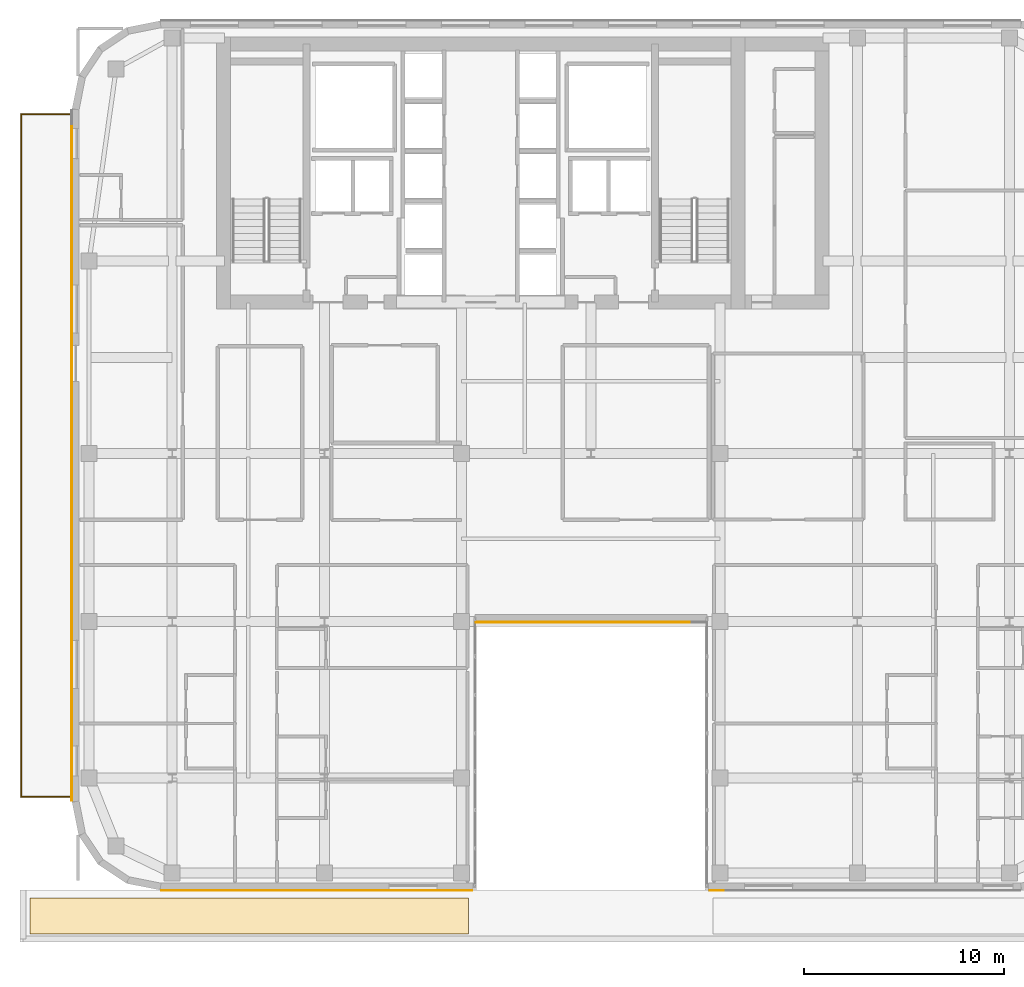
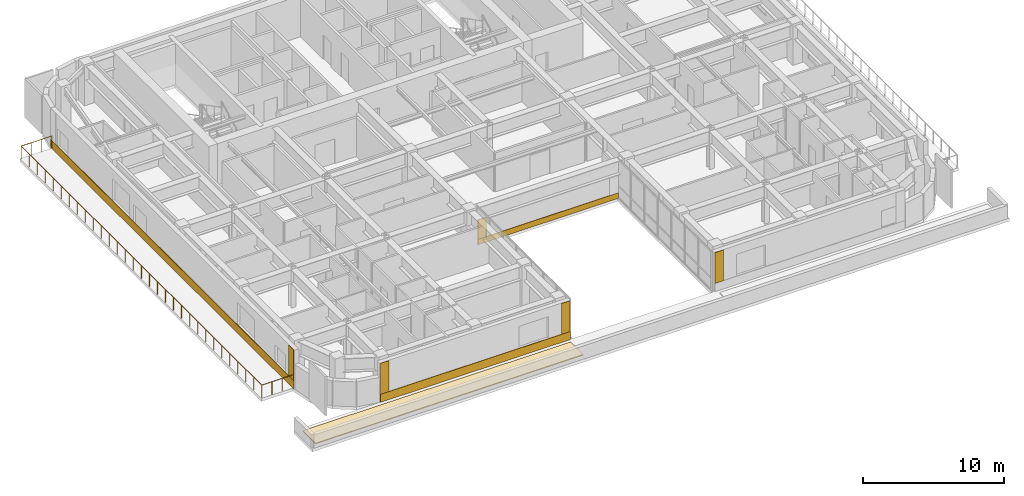
# One storey, part 16 of 20: 9 coverings, 1 railing.
"""IFC4 building model written with IfcOpenShell, lengths in metres."""

from ifc_helpers import new_model, si_unit, direction, frame, origin, origin_2d, place, context, subcontext, project, spatial, polyline, circle, outline, extrude, material, layer, layer_set, type_object, element, save


model = new_model("IFC4")

# Units and contexts
model_context = context("Model", 3, precision=1e-05, world=origin(), true_north=direction((0.0, 1.0)))
body_context = subcontext(model_context, "Body", "Model", "MODEL_VIEW")
ifc_project = project(units=[si_unit("LENGTHUNIT", "METRE"), si_unit("AREAUNIT", "SQUARE_METRE"), si_unit("VOLUMEUNIT", "CUBIC_METRE"), si_unit("PLANEANGLEUNIT", "RADIAN"), si_unit("MASSUNIT", "GRAM", prefix="KILO")], contexts=[model_context])

# Site, building, storey
site_placement = place(None, origin())
site = spatial("IfcSite", under=ifc_project, at=site_placement, CompositionType="ELEMENT")
building_placement = place(site_placement, origin())
building = spatial("IfcBuilding", under=site, at=building_placement, Name="Tolvann Quenvar Hotel", CompositionType="ELEMENT")
storey_placement = place(building_placement, frame((0.0, 0.0, 147.050048828125)))
storey = spatial("IfcBuildingStorey", under=building, at=storey_placement, Name="L38", CompositionType="ELEMENT", Elevation=147.050048828125)

# Coverings
ifc_material_1 = material(Name="Kiln-fired red architectural face brick cladding", Category="masonry")
ifc_layer_1 = layer(ifc_material_1, 0.0400390625)
ifc_layer_set_1 = layer_set([ifc_layer_1], Name="Kiln-fired red architectural face brick cladding")
covering_type_1 = type_object("IfcCoveringType", Name="COV_CLAD_BRICK_40", PredefinedType="CLADDING", material=ifc_layer_set_1)
covering_1_placement = place(storey_placement, frame((0.0, 0.0, 0.699951171875)))
element("IfcCovering", 1, at=covering_1_placement, inside=storey, type_object=covering_type_1, Name="Brick Pier Cladding (L38-E04-P1)", PredefinedType="CLADDING", context=body_context, shape_type="SweptSolid", body=[
    extrude(outline(polyline([(7.067138671875, 2.60009765625), (7.76708984375, 2.60009765625), (7.76708984375, 2.56005859375), (7.067138671875, 2.56005859375), (7.067138671875, 2.60009765625)])), origin(), (0.0, 0.0, 1.0), 2.669921875),
])
covering_2_placement = place(storey_placement, frame((0.0, 0.0, 0.699951171875)))
element("IfcCovering", 2, at=covering_2_placement, inside=storey, type_object=covering_type_1, Name="Brick Pier Cladding (L38-E04-P2)", PredefinedType="CLADDING", context=body_context, shape_type="SweptSolid", body=[
    extrude(outline(polyline([(21.875, 2.60009765625), (22.574951171875, 2.60009765625), (22.574951171875, 2.56005859375), (21.875, 2.56005859375), (21.875, 2.60009765625)])), origin(), (0.0, 0.0, 1.0), 2.669921875),
])
covering_3_placement = place(storey_placement, frame((0.0, 0.0, 0.47509765625)))
element("IfcCovering", 3, at=covering_3_placement, inside=storey, type_object=covering_type_1, Name="Brick Pier Cladding (L38-E06-P1)", PredefinedType="CLADDING", context=body_context, shape_type="SweptSolid", body=[
    extrude(outline(polyline([(22.760009765625, 16.0), (23.4599609375, 16.0), (23.4599609375, 15.9599609375), (22.760009765625, 15.9599609375), (22.760009765625, 16.0)])), origin(), (0.0, 0.0, 1.0), 1.684814453125),
])
covering_4_placement = place(storey_placement, frame((0.0, 0.0, 0.699951171875)))
element("IfcCovering", 4, at=covering_4_placement, inside=storey, type_object=covering_type_1, Name="Brick Pier Cladding (L38-E08-P1)", PredefinedType="CLADDING", context=body_context, shape_type="SweptSolid", body=[
    extrude(outline(polyline([(34.425048828125, 2.60009765625), (35.125, 2.60009765625), (35.125, 2.56005859375), (34.425048828125, 2.56005859375), (34.425048828125, 2.60009765625)])), origin(), (0.0, 0.0, 1.0), 2.669921875),
])
covering_5_placement = place(storey_placement, frame((0.0, 0.0, 0.699951171875)))
element("IfcCovering", 5, at=covering_5_placement, inside=storey, type_object=covering_type_1, Name="Brick Pier Cladding (L38-E23-P2)", PredefinedType="CLADDING", context=body_context, shape_type="SweptSolid", body=[
    extrude(outline(polyline([(2.60009765625, 7.76708984375), (2.60009765625, 7.067138671875), (2.56005859375, 7.067138671875), (2.56005859375, 7.76708984375), (2.60009765625, 7.76708984375)])), origin(), (0.0, 0.0, 1.0), 2.669921875),
])
ifc_material_2 = material(Name="Moulded buff architectural terracotta spandrel cladding", Category="masonry")
ifc_layer_2 = layer(ifc_material_2, 0.0400390625)
ifc_layer_set_2 = layer_set([ifc_layer_2], Name="Moulded buff architectural terracotta spandrel cladding")
covering_type_2 = type_object("IfcCoveringType", Name="COV_CLAD_TERRA_40", PredefinedType="CLADDING", material=ifc_layer_set_2)
covering_6_placement = place(storey_placement, origin())
element("IfcCovering", 6, at=covering_6_placement, inside=storey, type_object=covering_type_2, Name="Terracotta Spandrel Cladding (L38-E04)", PredefinedType="CLADDING", context=body_context, shape_type="SweptSolid", body=[
    extrude(outline(polyline([(7.05712890625, 2.60009765625), (22.5849609375, 2.60009765625), (22.5849609375, 2.56005859375), (7.05712890625, 2.56005859375), (7.05712890625, 2.60009765625)])), origin(), (0.0, 0.0, 1.0), 0.699951171875),
])
covering_7_placement = place(storey_placement, origin())
element("IfcCovering", 7, at=covering_7_placement, inside=storey, type_object=covering_type_2, Name="Terracotta Spandrel Cladding (L38-E06)", PredefinedType="CLADDING", context=body_context, shape_type="SweptSolid", body=[
    extrude(outline(polyline([(22.75, 16.0), (34.25, 16.0), (34.25, 15.9599609375), (22.75, 15.9599609375), (22.75, 16.0)])), origin(), (0.0, 0.0, 1.0), 0.47509765625),
])
covering_8_placement = place(storey_placement, origin())
element("IfcCovering", 8, at=covering_8_placement, inside=storey, type_object=covering_type_2, Name="Terracotta Spandrel Cladding (L38-E23)", PredefinedType="CLADDING", context=body_context, shape_type="SweptSolid", body=[
    extrude(outline(polyline([(2.60009765625, 41.542724609375), (2.60009765625, 7.05712890625), (2.56005859375, 7.05712890625), (2.56005859375, 41.542724609375), (2.60009765625, 41.542724609375)])), origin(), (0.0, 0.0, 1.0), 0.699951171875),
])
ifc_material_3 = material(Name="Elastomeric SBS waterproof roofing membrane and rigid insulation")
ifc_layer_3 = layer(ifc_material_3, 0.080078125)
ifc_layer_set_3 = layer_set([ifc_layer_3], Name="Elastomeric SBS waterproof roofing membrane and rigid insulation")
covering_type_3 = type_object("IfcCoveringType", Name="COV_ROOF_MEMB_80", PredefinedType="ROOFING", material=ifc_layer_set_3)
covering_9_placement = place(storey_placement, origin())
element("IfcCovering", 9, at=covering_9_placement, inside=storey, type_object=covering_type_3, Name="Waterproof Roof Membrane (ROOFING-L38-S1)", PredefinedType="ROOFING", context=body_context, shape_type="SweptSolid", body=[
    extrude(outline(polyline([(0.5, 0.39990234375), (22.39990234375, 0.39990234375), (22.39990234375, 2.199951171875), (0.5, 2.199951171875), (0.5, 0.39990234375)])), origin(), (0.0, 0.0, 1.0), 0.079833984375),
])

# Railing
ifc_material_4 = material(Name="Brushed 316 marine-grade stainless steel balustrade and laminated safety glass", Category="steel")
railing_type = type_object("IfcRailingType", Name="RAIL_BAL_1100", PredefinedType="BALUSTRADE", material=ifc_material_4)
railing_placement = place(storey_placement, frame((2.580078125, 7.260009765625, 0.0)))
element("IfcRailing", 10, at=railing_placement, inside=storey, type_object=railing_type, Name="Safety Balustrade BAL-TER-L38-W", PredefinedType="BALUSTRADE", context=body_context, shape_type="SweptSolid", body=[
    extrude(circle(Radius=0.02490234375, at=origin_2d()), frame((0.0, 0.0, 1.09521484375), z_axis=(-1.0, 0.0, 0.0), x_axis=(0.0, -1.0, 0.0)), (0.0, 0.0, 1.0), 2.52001953125),
    extrude(circle(Radius=0.02490234375, at=origin_2d()), frame((-2.52001953125, 0.0, 1.09521484375), z_axis=(0.0, 1.0, 0.0), x_axis=(-1.0, 0.0, 0.0)), (0.0, 0.0, 1.0), 34.080078125),
    extrude(circle(Radius=0.02490234375, at=origin_2d()), frame((-2.52001953125, 34.080078125, 1.09521484375), z_axis=(1.0, 0.0, 0.0), x_axis=(0.0, 1.0, 0.0)), (0.0, 0.0, 1.0), 2.52001953125),
    extrude(circle(Radius=0.02197265625, at=origin_2d()), origin(), (0.0, 0.0, 1.0), 1.070068359375),
    extrude(circle(Radius=0.02197265625, at=origin_2d()), frame((-0.840087890625, 0.0, 0.0)), (0.0, 0.0, 1.0), 1.070068359375),
    extrude(circle(Radius=0.02197265625, at=origin_2d()), frame((-1.679931640625, 0.0, 0.0)), (0.0, 0.0, 1.0), 1.070068359375),
    extrude(circle(Radius=0.02197265625, at=origin_2d()), frame((-2.52001953125, 0.0, 0.0)), (0.0, 0.0, 1.0), 1.070068359375),
    extrude(circle(Radius=0.02197265625, at=origin_2d()), frame((-2.52001953125, 1.135986328125, 0.0)), (0.0, 0.0, 1.0), 1.070068359375),
    extrude(circle(Radius=0.02197265625, at=origin_2d()), frame((-2.52001953125, 2.27197265625, 0.0)), (0.0, 0.0, 1.0), 1.070068359375),
    extrude(circle(Radius=0.02197265625, at=origin_2d()), frame((-2.52001953125, 3.407958984375, 0.0)), (0.0, 0.0, 1.0), 1.070068359375),
    extrude(circle(Radius=0.02197265625, at=origin_2d()), frame((-2.52001953125, 4.5439453125, 0.0)), (0.0, 0.0, 1.0), 1.070068359375),
    extrude(circle(Radius=0.02197265625, at=origin_2d()), frame((-2.52001953125, 5.679931640625, 0.0)), (0.0, 0.0, 1.0), 1.070068359375),
    extrude(circle(Radius=0.02197265625, at=origin_2d()), frame((-2.52001953125, 6.81591796875, 0.0)), (0.0, 0.0, 1.0), 1.070068359375),
    extrude(circle(Radius=0.02197265625, at=origin_2d()), frame((-2.52001953125, 7.951904296875, 0.0)), (0.0, 0.0, 1.0), 1.070068359375),
    extrude(circle(Radius=0.02197265625, at=origin_2d()), frame((-2.52001953125, 9.088134765625, 0.0)), (0.0, 0.0, 1.0), 1.070068359375),
    extrude(circle(Radius=0.02197265625, at=origin_2d()), frame((-2.52001953125, 10.22412109375, 0.0)), (0.0, 0.0, 1.0), 1.070068359375),
    extrude(circle(Radius=0.02197265625, at=origin_2d()), frame((-2.52001953125, 11.360107421875, 0.0)), (0.0, 0.0, 1.0), 1.070068359375),
    extrude(circle(Radius=0.02197265625, at=origin_2d()), frame((-2.52001953125, 12.49609375, 0.0)), (0.0, 0.0, 1.0), 1.070068359375),
    extrude(circle(Radius=0.02197265625, at=origin_2d()), frame((-2.52001953125, 13.632080078125, 0.0)), (0.0, 0.0, 1.0), 1.070068359375),
    extrude(circle(Radius=0.02197265625, at=origin_2d()), frame((-2.52001953125, 14.76806640625, 0.0)), (0.0, 0.0, 1.0), 1.070068359375),
    extrude(circle(Radius=0.02197265625, at=origin_2d()), frame((-2.52001953125, 15.904052734375, 0.0)), (0.0, 0.0, 1.0), 1.070068359375),
    extrude(circle(Radius=0.02197265625, at=origin_2d()), frame((-2.52001953125, 17.0400390625, 0.0)), (0.0, 0.0, 1.0), 1.070068359375),
    extrude(circle(Radius=0.02197265625, at=origin_2d()), frame((-2.52001953125, 18.176025390625, 0.0)), (0.0, 0.0, 1.0), 1.070068359375),
    extrude(circle(Radius=0.02197265625, at=origin_2d()), frame((-2.52001953125, 19.31201171875, 0.0)), (0.0, 0.0, 1.0), 1.070068359375),
    extrude(circle(Radius=0.02197265625, at=origin_2d()), frame((-2.52001953125, 20.447998046875, 0.0)), (0.0, 0.0, 1.0), 1.070068359375),
    extrude(circle(Radius=0.02197265625, at=origin_2d()), frame((-2.52001953125, 21.583984375, 0.0)), (0.0, 0.0, 1.0), 1.070068359375),
    extrude(circle(Radius=0.02197265625, at=origin_2d()), frame((-2.52001953125, 22.719970703125, 0.0)), (0.0, 0.0, 1.0), 1.070068359375),
    extrude(circle(Radius=0.02197265625, at=origin_2d()), frame((-2.52001953125, 23.85595703125, 0.0)), (0.0, 0.0, 1.0), 1.070068359375),
    extrude(circle(Radius=0.02197265625, at=origin_2d()), frame((-2.52001953125, 24.991943359375, 0.0)), (0.0, 0.0, 1.0), 1.070068359375),
    extrude(circle(Radius=0.02197265625, at=origin_2d()), frame((-2.52001953125, 26.128173828125, 0.0)), (0.0, 0.0, 1.0), 1.070068359375),
    extrude(circle(Radius=0.02197265625, at=origin_2d()), frame((-2.52001953125, 27.26416015625, 0.0)), (0.0, 0.0, 1.0), 1.070068359375),
    extrude(circle(Radius=0.02197265625, at=origin_2d()), frame((-2.52001953125, 28.400146484375, 0.0)), (0.0, 0.0, 1.0), 1.070068359375),
    extrude(circle(Radius=0.02197265625, at=origin_2d()), frame((-2.52001953125, 29.5361328125, 0.0)), (0.0, 0.0, 1.0), 1.070068359375),
    extrude(circle(Radius=0.02197265625, at=origin_2d()), frame((-2.52001953125, 30.672119140625, 0.0)), (0.0, 0.0, 1.0), 1.070068359375),
    extrude(circle(Radius=0.02197265625, at=origin_2d()), frame((-2.52001953125, 31.80810546875, 0.0)), (0.0, 0.0, 1.0), 1.070068359375),
    extrude(circle(Radius=0.02197265625, at=origin_2d()), frame((-2.52001953125, 32.944091796875, 0.0)), (0.0, 0.0, 1.0), 1.070068359375),
    extrude(circle(Radius=0.02197265625, at=origin_2d()), frame((-2.52001953125, 34.080078125, 0.0)), (0.0, 0.0, 1.0), 1.070068359375),
    extrude(circle(Radius=0.02197265625, at=origin_2d()), frame((-1.679931640625, 34.080078125, 0.0)), (0.0, 0.0, 1.0), 1.070068359375),
    extrude(circle(Radius=0.02197265625, at=origin_2d()), frame((-0.840087890625, 34.080078125, 0.0)), (0.0, 0.0, 1.0), 1.070068359375),
    extrude(circle(Radius=0.02197265625, at=origin_2d()), frame((0.0, 34.080078125, 0.0)), (0.0, 0.0, 1.0), 1.070068359375),
])

save(model, "model.ifc")
